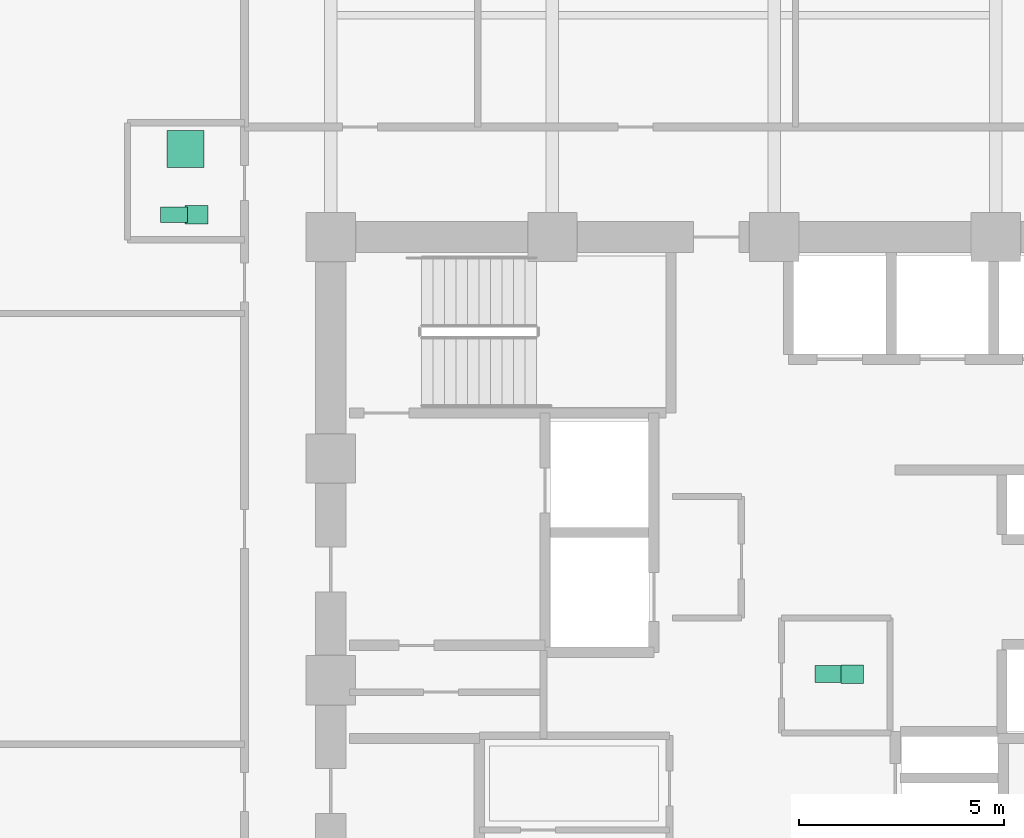
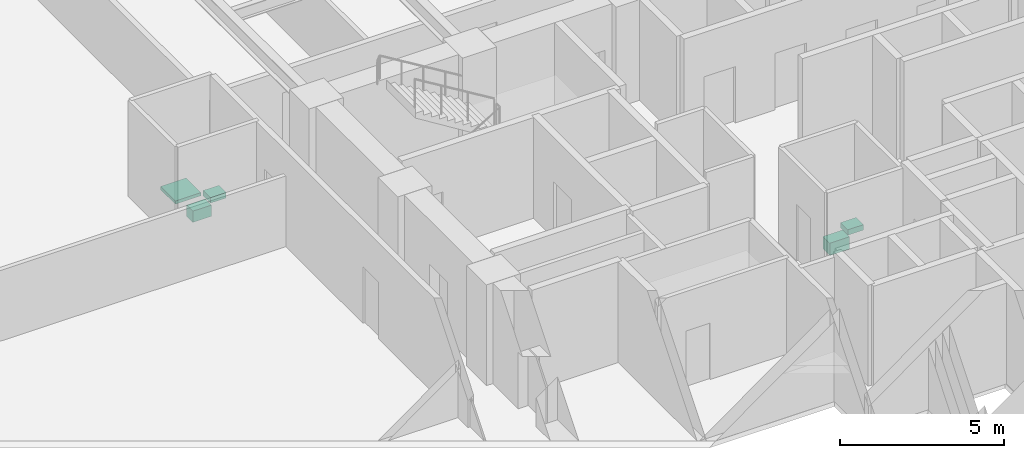
# One storey, part 25 of 25: 5 sanitary terminals.
"""IFC4 building model written with IfcOpenShell, lengths in metres."""

from ifc_helpers import new_model, si_unit, direction, frame, origin, origin_2d, place, context, subcontext, project, spatial, rectangle, extrude, material, type_object, element, save


model = new_model("IFC4")

# Units and contexts
model_context = context("Model", 3, precision=1e-05, world=origin(), true_north=direction((0.0, 1.0)))
body_context = subcontext(model_context, "Body", "Model", "MODEL_VIEW")
ifc_project = project(units=[si_unit("LENGTHUNIT", "METRE"), si_unit("AREAUNIT", "SQUARE_METRE"), si_unit("VOLUMEUNIT", "CUBIC_METRE"), si_unit("PLANEANGLEUNIT", "RADIAN"), si_unit("MASSUNIT", "GRAM", prefix="KILO")], contexts=[model_context])

# Site, building, storey
site_placement = place(None, origin())
site = spatial("IfcSite", under=ifc_project, at=site_placement, CompositionType="ELEMENT")
building_placement = place(site_placement, origin())
building = spatial("IfcBuilding", under=site, at=building_placement, Name="Surkhivell Harbour Commons", CompositionType="ELEMENT")
storey_placement = place(building_placement, frame((0.0, 0.0, 52.5)))
storey = spatial("IfcBuildingStorey", under=building, at=storey_placement, Name="L13", CompositionType="ELEMENT", Elevation=52.5)

# Sanitary terminals
ifc_material_1 = material(Name="Vitreous china washbasin", Category="other")
sanitary_terminal_type_1 = type_object("IfcSanitaryTerminalType", Name="SAN-BSN", PredefinedType="WASHHANDBASIN", material=ifc_material_1)
for number, where, z_axis, x_axis, name in (
    (1, (1.89990234375, 0.14990234375, 0.72021484375), (0.0, 0.0, 1.0), (1.0, 0.0, 0.0), "L13 Core Accessible WC Washbasin"),
    (2, (-14.070068359375, 11.340087890625, 0.72021484375), (0.0, 0.0, 1.0), (1.0, 0.0, 0.0), "L13 West Communal Bathroom WC Washbasin"),
):
    element("IfcSanitaryTerminal", number, at=place(storey_placement, frame(where, z_axis=z_axis, x_axis=x_axis)), inside=storey, type_object=sanitary_terminal_type_1, Name=name, PredefinedType="WASHHANDBASIN", context=body_context, shape_type="SweptSolid", body=[
        extrude(rectangle(XDim=0.550048828125, YDim=0.449951171875, at=origin_2d()), origin(), (0.0, 0.0, 1.0), 0.199951171875),
    ])
ifc_material_2 = material(Name="Glazed porcelain shower tray", Category="other")
sanitary_terminal_type_2 = type_object("IfcSanitaryTerminalType", Name="SAN-SHW", PredefinedType="SHOWER", material=ifc_material_2)
sanitary_terminal_1_placement = place(storey_placement, frame((-14.340087890625, 12.93994140625, 0.0), z_axis=(0.0, 0.0, 1.0), x_axis=(1.0, 0.0, 0.0)))
element("IfcSanitaryTerminal", 3, at=sanitary_terminal_1_placement, inside=storey, type_object=sanitary_terminal_type_2, Name="L13 West Communal Shower Tray", PredefinedType="SHOWER", context=body_context, shape_type="SweptSolid", body=[
    extrude(rectangle(XDim=0.89990234375, YDim=0.89990234375, at=origin_2d()), origin(), (0.0, 0.0, 1.0), 0.1201171875),
])
ifc_material_3 = material(Name="Vitreous china sanitaryware", Category="other")
sanitary_terminal_type_3 = type_object("IfcSanitaryTerminalType", Name="SAN-WC-ACC", PredefinedType="TOILETPAN", material=ifc_material_3)
sanitary_terminal_2_placement = place(storey_placement, frame((1.35009765625, 0.14990234375, 0.169921875), z_axis=(0.0, 0.0, 1.0), x_axis=(1.0, 0.0, 0.0)))
element("IfcSanitaryTerminal", 4, at=sanitary_terminal_2_placement, inside=storey, type_object=sanitary_terminal_type_3, Name="L13 Core Accessible WC", PredefinedType="TOILETPAN", context=body_context, shape_type="SweptSolid", body=[
    extrude(rectangle(XDim=0.699951171875, YDim=0.419921875, at=origin_2d()), origin(), (0.0, 0.0, 1.0), 0.4599609375),
])
sanitary_terminal_type_4 = type_object("IfcSanitaryTerminalType", Name="SAN-WC-STD", PredefinedType="TOILETPAN", material=ifc_material_3)
sanitary_terminal_3_placement = place(storey_placement, frame((-14.6201171875, 11.340087890625, 0.18994140625), z_axis=(0.0, 0.0, 1.0), x_axis=(1.0, 0.0, 0.0)))
element("IfcSanitaryTerminal", 5, at=sanitary_terminal_3_placement, inside=storey, type_object=sanitary_terminal_type_4, Name="L13 West Communal Bathroom WC", PredefinedType="TOILETPAN", context=body_context, shape_type="SweptSolid", body=[
    extrude(rectangle(XDim=0.64990234375, YDim=0.3798828125, at=origin_2d()), origin(), (0.0, 0.0, 1.0), 0.419921875),
])

save(model, "model.ifc")
